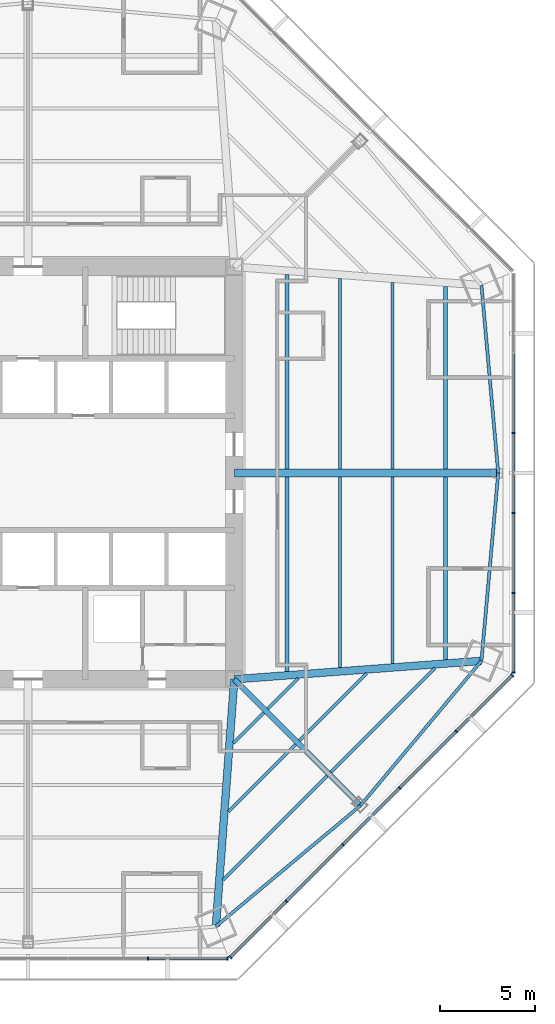
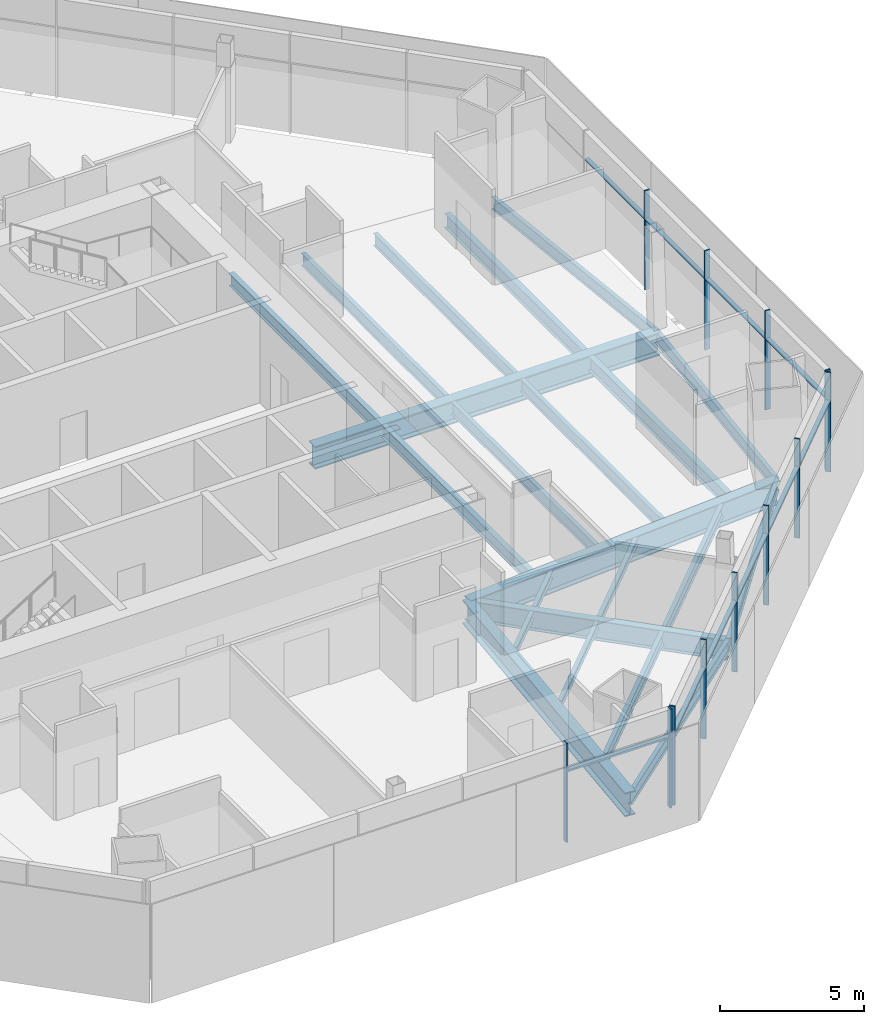
# One storey, part 4 of 17: 22 beams, 22 members, 3 elements without a shape of their own.
"""IFC4 building model written with IfcOpenShell, lengths in metres."""

from ifc_helpers import new_model, si_unit, direction, frame, origin, origin_2d, place, context, subcontext, project, spatial, rectangle, i_section, extrude, source, transform, mapped, material, material_profile, profile_set, type_object, type_shapes, element, aggregate, save


model = new_model("IFC4")

# Units and contexts
model_context = context("Model", 3, precision=1e-05, world=origin(), true_north=direction((0.0, 1.0)))
body_context = subcontext(model_context, "Body", "Model", "MODEL_VIEW")
ifc_project = project(units=[si_unit("LENGTHUNIT", "METRE"), si_unit("AREAUNIT", "SQUARE_METRE"), si_unit("VOLUMEUNIT", "CUBIC_METRE"), si_unit("PLANEANGLEUNIT", "RADIAN"), si_unit("MASSUNIT", "GRAM", prefix="KILO")], contexts=[model_context])

# Site, building, storey
site_placement = place(None, origin())
site = spatial("IfcSite", under=ifc_project, at=site_placement, CompositionType="ELEMENT")
building_placement = place(site_placement, origin())
building = spatial("IfcBuilding", under=site, at=building_placement, Name="Mashrafa Tower", CompositionType="ELEMENT")
storey_placement = place(building_placement, frame((0.0, 0.0, 91.800048828125)))
storey = spatial("IfcBuildingStorey", under=building, at=storey_placement, Name="L20", CompositionType="ELEMENT", Elevation=91.800048828125)

# Beams
ifc_material_1 = material(Name="Steel ASTM A992", Category="steel")
ifc_material_profile_1 = material_profile(ifc_material_1, i_section(OverallWidth=0.164794921875, OverallDepth=0.309814453125, WebThickness=0.005859375, FlangeThickness=0.009765625, FilletRadius=0.007568359375, at=origin_2d()), Name="W12X26")
ifc_profile_set_1 = profile_set([ifc_material_profile_1], Name="Steel ASTM A992")
beam_type_1 = type_object("IfcBeamType", Name="Beam W12X26", PredefinedType="BEAM", material=ifc_profile_set_1)
beam_1_placement = place(storey_placement, frame((12.349365234375, -12.555908203125, -0.320068359375), z_axis=(-0.707052772649, -0.707160785599, 0.0), x_axis=(0.707160785599, -0.707052772649, 0.0)))
element("IfcBeam", 1, at=beam_1_placement, inside=storey, type_object=beam_type_1, Name="Floor beam L20 040", PredefinedType="BEAM", context=body_context, shape_type="SweptSolid", body=[
    extrude(i_section(OverallWidth=0.164794921875, OverallDepth=0.309814453125, WebThickness=0.005859375, FlangeThickness=0.009765625, FilletRadius=0.007568359375, at=origin_2d()), origin(), (0.0, 0.0, 1.0), 2.26025390625),
])
beam_2_placement = place(storey_placement, frame((14.002197265625, -14.208740234375, -0.320068359375), z_axis=(-0.707131323705, -0.707082237816, 0.0), x_axis=(0.707082237816, -0.707131323705, 0.0)))
element("IfcBeam", 2, at=beam_2_placement, inside=storey, type_object=beam_type_1, Name="Floor beam L20 044", PredefinedType="BEAM", context=body_context, shape_type="SweptSolid", body=[
    extrude(i_section(OverallWidth=0.164794921875, OverallDepth=0.309814453125, WebThickness=0.005859375, FlangeThickness=0.009765625, FilletRadius=0.007568359375, at=origin_2d()), origin(), (0.0, 0.0, 1.0), 4.9736328125),
])
beam_3_placement = place(storey_placement, frame((14.154296875, -10.751220703125, -0.320068359375), z_axis=(-0.707160785599, -0.707052772649, 0.0), x_axis=(0.707052772649, -0.707160785599, 0.0)))
element("IfcBeam", 3, at=beam_3_placement, inside=storey, type_object=beam_type_1, Name="Floor beam L20 046", PredefinedType="BEAM", context=body_context, shape_type="SweptSolid", body=[
    extrude(i_section(OverallWidth=0.164794921875, OverallDepth=0.309814453125, WebThickness=0.005859375, FlangeThickness=0.009765625, FilletRadius=0.007568359375, at=origin_2d()), origin(), (0.0, 0.0, 1.0), 2.26025390625),
])
beam_4_placement = place(storey_placement, frame((17.7255859375, -10.485107421875, -0.320068359375), z_axis=(-0.707082237816, -0.707131323705, 0.0), x_axis=(0.707131323705, -0.707082237816, 0.0)))
element("IfcBeam", 4, at=beam_4_placement, inside=storey, type_object=beam_type_1, Name="Floor beam L20 051", PredefinedType="BEAM", context=body_context, shape_type="SweptSolid", body=[
    extrude(i_section(OverallWidth=0.164794921875, OverallDepth=0.309814453125, WebThickness=0.005859375, FlangeThickness=0.009765625, FilletRadius=0.007568359375, at=origin_2d()), origin(), (0.0, 0.0, 1.0), 4.9736328125),
])
ifc_material_2 = material(Name="Steel ASTM A992", Category="steel")
ifc_material_profile_2 = material_profile(ifc_material_2, i_section(OverallWidth=0.165771484375, OverallDepth=0.5283203125, WebThickness=0.009765625, FlangeThickness=0.013671875, FilletRadius=0.012939453125, at=origin_2d()), Name="W21X50")
ifc_profile_set_2 = profile_set([ifc_material_profile_2], Name="Steel ASTM A992")
beam_type_2 = type_object("IfcBeamType", Name="Beam W21X50", PredefinedType="BEAM", material=ifc_profile_set_2)
beam_5_placement = place(storey_placement, frame((15.65478515625, -15.861328125, -0.42919921875), z_axis=(-0.707106781187, -0.707106781187, 0.0), x_axis=(0.707106781187, -0.707106781187, 0.0)))
element("IfcBeam", 5, at=beam_5_placement, inside=storey, type_object=beam_type_2, Name="Floor beam L20 047", PredefinedType="BEAM", context=body_context, shape_type="SweptSolid", body=[
    extrude(i_section(OverallWidth=0.165771484375, OverallDepth=0.5283203125, WebThickness=0.009765625, FlangeThickness=0.013671875, FilletRadius=0.012939453125, at=origin_2d()), origin(), (0.0, 0.0, 1.0), 7.687744140625),
])
for number, where, z_axis, x_axis, name in (
    (6, (16.3291015625, -0.212158203125, -0.42919921875), (0.0, -1.0, 0.0), (1.0, 0.0, 0.0), "Floor beam L20 049"),
    (7, (16.3291015625, 10.186767578125, -0.42919921875), (0.0, -1.0, 0.0), (1.0, 0.0, 0.0), "Floor beam L20 050"),
):
    element("IfcBeam", number, at=place(storey_placement, frame(where, z_axis=z_axis, x_axis=x_axis)), inside=storey, type_object=beam_type_2, Name=name, PredefinedType="BEAM", context=body_context, shape_type="SweptSolid", body=[
        extrude(i_section(OverallWidth=0.165771484375, OverallDepth=0.5283203125, WebThickness=0.009765625, FlangeThickness=0.013671875, FilletRadius=0.012939453125, at=origin_2d()), origin(), (0.0, 0.0, 1.0), 9.974609375),
    ])
for number, where, z_axis, x_axis, name in (
    (8, (19.093505859375, -0.212158203125, -0.42919921875), (0.0, -1.0, 0.0), (1.0, 0.0, 0.0), "Floor beam L20 052"),
    (9, (19.093505859375, 9.980712890625, -0.42919921875), (0.0, -1.0, 0.0), (1.0, 0.0, 0.0), "Floor beam L20 053"),
):
    element("IfcBeam", number, at=place(storey_placement, frame(where, z_axis=z_axis, x_axis=x_axis)), inside=storey, type_object=beam_type_2, Name=name, PredefinedType="BEAM", context=body_context, shape_type="SweptSolid", body=[
        extrude(i_section(OverallWidth=0.165771484375, OverallDepth=0.5283203125, WebThickness=0.009765625, FlangeThickness=0.013671875, FilletRadius=0.012939453125, at=origin_2d()), origin(), (0.0, 0.0, 1.0), 9.7685546875),
    ])
beam_6_placement = place(storey_placement, frame((21.29736328125, -10.21875, -0.42919921875), z_axis=(-0.707106781187, -0.707106781187, 0.0), x_axis=(0.707106781187, -0.707106781187, 0.0)))
element("IfcBeam", 10, at=beam_6_placement, inside=storey, type_object=beam_type_2, Name="Floor beam L20 054", PredefinedType="BEAM", context=body_context, shape_type="SweptSolid", body=[
    extrude(i_section(OverallWidth=0.165771484375, OverallDepth=0.5283203125, WebThickness=0.009765625, FlangeThickness=0.013671875, FilletRadius=0.012939453125, at=origin_2d()), origin(), (0.0, 0.0, 1.0), 7.687744140625),
])
for number, where, z_axis, x_axis, name in (
    (11, (9.835205078125, -23.744384765625, -0.42919921875), (0.767180616047, 0.641431136102, 0.0), (-0.641431136102, 0.767180616047, 0.0), "Spandrel beam L20 082"),
    (12, (17.41064453125, -17.41064453125, -0.42919921875), (0.641431136102, 0.767180616047, 0.0), (-0.767180616047, 0.641431136102, 0.0), "Spandrel beam L20 084"),
    (13, (23.744384765625, -9.835205078125, -0.42919921875), (0.088935004127, 0.996037431546, 0.0), (-0.996037431546, 0.088935004127, 0.0), "Spandrel beam L20 086"),
    (14, (24.62255859375, 0.0, -0.42919921875), (-0.088935004127, 0.996037431546, 0.0), (-0.996037431546, -0.088935004127, 0.0), "Spandrel beam L20 088"),
):
    element("IfcBeam", number, at=place(storey_placement, frame(where, z_axis=z_axis, x_axis=x_axis)), inside=storey, type_object=beam_type_2, Name=name, PredefinedType="BEAM", context=body_context, shape_type="SweptSolid", body=[
        extrude(i_section(OverallWidth=0.165771484375, OverallDepth=0.5283203125, WebThickness=0.009765625, FlangeThickness=0.013671875, FilletRadius=0.012939453125, at=origin_2d()), origin(), (0.0, 0.0, 1.0), 9.874267578125),
    ])
ifc_material_3 = material(Name="Steel ASTM A992", Category="steel")
ifc_material_profile_3 = material_profile(ifc_material_3, i_section(OverallWidth=0.209228515625, OverallDepth=0.533447265625, WebThickness=0.01025390625, FlangeThickness=0.015625, FilletRadius=0.012939453125, at=origin_2d()), Name="W21X62")
ifc_profile_set_3 = profile_set([ifc_material_profile_3], Name="Steel ASTM A992")
beam_type_3 = type_object("IfcBeamType", Name="Beam W21X62", PredefinedType="BEAM", material=ifc_profile_set_3)
for number, where, z_axis, x_axis, name in (
    (15, (13.564453125, -0.212158203125, -0.431640625), (0.0, -1.0, 0.0), (1.0, 0.0, 0.0), "Floor beam L20 042"),
    (16, (13.564453125, 10.392578125, -0.431640625), (0.0, -1.0, 0.0), (1.0, 0.0, 0.0), "Floor beam L20 043"),
):
    element("IfcBeam", number, at=place(storey_placement, frame(where, z_axis=z_axis, x_axis=x_axis)), inside=storey, type_object=beam_type_3, Name=name, PredefinedType="BEAM", context=body_context, shape_type="SweptSolid", body=[
        extrude(i_section(OverallWidth=0.209228515625, OverallDepth=0.533447265625, WebThickness=0.01025390625, FlangeThickness=0.015625, FilletRadius=0.012939453125, at=origin_2d()), origin(), (0.0, 0.0, 1.0), 10.180419921875),
    ])
ifc_material_4 = material(Name="Steel ASTM A992", Category="steel")
ifc_material_profile_4 = material_profile(ifc_material_4, i_section(OverallWidth=0.227783203125, OverallDepth=0.60205078125, WebThickness=0.010498046875, FlangeThickness=0.014892578125, FilletRadius=0.012939453125, at=origin_2d()), Name="W24X68")
ifc_profile_set_4 = profile_set([ifc_material_profile_4], Name="Steel ASTM A992")
beam_type_4 = type_object("IfcBeamType", Name="Beam W24X68", PredefinedType="BEAM", material=ifc_profile_set_4)
for number, where, z_axis, x_axis, name in (
    (17, (21.85791015625, -0.212158203125, -0.466064453125), (0.0, -1.0, 0.0), (1.0, 0.0, 0.0), "Floor beam L20 055"),
    (18, (21.85791015625, 9.774658203125, -0.466064453125), (0.0, -1.0, 0.0), (1.0, 0.0, 0.0), "Floor beam L20 056"),
):
    element("IfcBeam", number, at=place(storey_placement, frame(where, z_axis=z_axis, x_axis=x_axis)), inside=storey, type_object=beam_type_4, Name=name, PredefinedType="BEAM", context=body_context, shape_type="SweptSolid", body=[
        extrude(i_section(OverallWidth=0.227783203125, OverallDepth=0.60205078125, WebThickness=0.010498046875, FlangeThickness=0.014892578125, FilletRadius=0.012939453125, at=origin_2d()), origin(), (0.0, 0.0, 1.0), 9.5625),
    ])
ifc_material_5 = material(Name="Steel ASTM A992", Category="steel")
ifc_material_profile_5 = material_profile(ifc_material_5, i_section(OverallWidth=0.2919921875, OverallDepth=0.845703125, WebThickness=0.015380859375, FlangeThickness=0.0244140625, FilletRadius=0.017333984375, at=origin_2d()), Name="W33X141")
ifc_profile_set_5 = profile_set([ifc_material_profile_5], Name="Steel ASTM A992")
beam_type_5 = type_object("IfcBeamType", Name="Beam W33X141", PredefinedType="BEAM", material=ifc_profile_set_5)
beam_7_placement = place(storey_placement, frame((10.800048828125, -10.800048828125, -0.587890625), z_axis=(0.707106781187, -0.707106781187, 0.0), x_axis=(0.707106781187, 0.707106781187, 0.0)))
element("IfcBeam", 19, at=beam_7_placement, inside=storey, type_object=beam_type_5, Name="Radial girder L20 067", PredefinedType="BEAM", context=body_context, shape_type="SweptSolid", body=[
    extrude(i_section(OverallWidth=0.2919921875, OverallDepth=0.845703125, WebThickness=0.015380859375, FlangeThickness=0.0244140625, FilletRadius=0.017333984375, at=origin_2d()), origin(), (0.0, 0.0, 1.0), 9.348876953125),
])
ifc_material_6 = material(Name="Steel ASTM A992", Category="steel")
ifc_material_profile_6 = material_profile(ifc_material_6, i_section(OverallWidth=0.424072265625, OverallDepth=0.960205078125, WebThickness=0.028564453125, FlangeThickness=0.051025390625, FilletRadius=0.02001953125, at=origin_2d()), Name="W36X361")
ifc_profile_set_6 = profile_set([ifc_material_profile_6], Name="Steel ASTM A992")
beam_type_6 = type_object("IfcBeamType", Name="Beam W36X361", PredefinedType="BEAM", material=ifc_profile_set_6)
beam_8_placement = place(storey_placement, frame((10.800048828125, 0.0, -0.64501953125), z_axis=(1.0, 0.0, 0.0), x_axis=(0.0, 1.0, 0.0)))
element("IfcBeam", 20, at=beam_8_placement, inside=storey, type_object=beam_type_6, Name="Radial girder L20 069", PredefinedType="BEAM", context=body_context, shape_type="SweptSolid", body=[
    extrude(i_section(OverallWidth=0.424072265625, OverallDepth=0.960205078125, WebThickness=0.028564453125, FlangeThickness=0.051025390625, FilletRadius=0.02001953125, at=origin_2d()), origin(), (0.0, 0.0, 1.0), 13.822509765625),
])
ifc_material_7 = material(Name="Steel ASTM A992", Category="steel")
ifc_material_profile_7 = material_profile(ifc_material_7, i_section(OverallWidth=0.4013671875, OverallDepth=1.010986328125, WebThickness=0.023681640625, FlangeThickness=0.0419921875, FilletRadius=0.02001953125, at=origin_2d()), Name="W40X297")
ifc_profile_set_7 = profile_set([ifc_material_profile_7], Name="Steel ASTM A992")
beam_type_7 = type_object("IfcBeamType", Name="Beam W40X297", PredefinedType="BEAM", material=ifc_profile_set_7)
for number, where, z_axis, x_axis, name in (
    (21, (10.800048828125, -10.800048828125, -0.67041015625), (-0.074331706471, -0.997233572145, 0.0), (0.997233572145, -0.074331706471, 0.0), "Radial girder L20 066"),
    (22, (10.800048828125, -10.800048828125, -0.67041015625), (0.997233572145, 0.074331706471, 0.0), (-0.074331706471, 0.997233572145, 0.0), "Radial girder L20 068"),
):
    element("IfcBeam", number, at=place(storey_placement, frame(where, z_axis=z_axis, x_axis=x_axis)), inside=storey, type_object=beam_type_7, Name=name, PredefinedType="BEAM", context=body_context, shape_type="SweptSolid", body=[
        extrude(i_section(OverallWidth=0.4013671875, OverallDepth=1.010986328125, WebThickness=0.023681640625, FlangeThickness=0.0419921875, FilletRadius=0.02001953125, at=origin_2d()), origin(), (0.0, 0.0, 1.0), 12.980224609375),
    ])

# Curtain wall, members
ifc_material_8 = material(Name="Unitised aluminium curtain wall", Category="aluminium")
curtain_wall_type = type_object("IfcCurtainWallType", Name="Office curtain wall, zone 1 CW-A 200 deep", PredefinedType="NOTDEFINED", material=ifc_material_8)
curtain_wall_1_placement = place(storey_placement, origin())
curtain_wall_1 = element("IfcCurtainWall", 23, at=curtain_wall_1_placement, inside=storey, type_object=curtain_wall_type, Name="Office curtain wall, zone 1 L20 east", PredefinedType="NOTDEFINED")
ifc_material_9 = material(Name="Extruded aluminium mullion", Category="aluminium")
ifc_material_profile_8 = material_profile(ifc_material_9, rectangle(XDim=0.199951171875, YDim=0.06494140625, at=origin_2d()), Name="Mullion 65x200")
ifc_profile_set_8 = profile_set([ifc_material_profile_8], Name="Extruded aluminium mullion")
member_type_1 = type_object("IfcMemberType", Name="Mullion CW-A 65 x 200", PredefinedType="MULLION", material=ifc_profile_set_8)
shared_shape_1 = source(origin(), body_context, "Body", "SweptSolid", [
    extrude(rectangle(XDim=0.199951171875, YDim=0.06494140625, at=origin_2d()), origin(), (0.0, 0.0, 1.0), 4.199951171875),
])
type_shapes(member_type_1, [shared_shape_1])
member_1_placement = place(storey_placement, frame((25.417724609375, -10.444580078125, 0.0), z_axis=(0.0, 0.0, 1.0), x_axis=(-1.0, 0.0, 0.0)))
member_1 = element("IfcMember", 24, at=member_1_placement, type_object=member_type_1, Name="CW-A mullion 1", PredefinedType="MULLION", context=body_context, shape_type="MappedRepresentation", body=[
    mapped(shared_shape_1, transform((0.0, 0.0, 0.0))),
])
member_2_placement = place(storey_placement, frame((25.417724609375, -6.2861328125, 0.0), z_axis=(0.0, 0.0, 1.0), x_axis=(-1.0, 0.0, 0.0)))
member_2 = element("IfcMember", 25, at=member_2_placement, type_object=member_type_1, Name="CW-A mullion 2", PredefinedType="MULLION", context=body_context, shape_type="MappedRepresentation", body=[
    mapped(shared_shape_1, transform((0.0, 0.0, 0.0))),
])
member_3_placement = place(storey_placement, frame((25.417724609375, -2.095458984375, 0.0), z_axis=(0.0, 0.0, 1.0), x_axis=(-1.0, 0.0, 0.0)))
member_3 = element("IfcMember", 26, at=member_3_placement, type_object=member_type_1, Name="CW-A mullion 3", PredefinedType="MULLION", context=body_context, shape_type="MappedRepresentation", body=[
    mapped(shared_shape_1, transform((0.0, 0.0, 0.0))),
])
member_4_placement = place(storey_placement, frame((25.417724609375, 2.095458984375, 0.0), z_axis=(0.0, 0.0, 1.0), x_axis=(-1.0, 0.0, 0.0)))
member_4 = element("IfcMember", 27, at=member_4_placement, type_object=member_type_1, Name="CW-A mullion 4", PredefinedType="MULLION", context=body_context, shape_type="MappedRepresentation", body=[
    mapped(shared_shape_1, transform((0.0, 0.0, 0.0))),
])

curtain_wall_2_placement = place(storey_placement, origin())
curtain_wall_2 = element("IfcCurtainWall", 28, at=curtain_wall_2_placement, inside=storey, type_object=curtain_wall_type, Name="Office curtain wall, zone 1 L20 south", PredefinedType="NOTDEFINED")
member_5_placement = place(storey_placement, frame((6.2861328125, -25.417724609375, 0.0), z_axis=(0.0, 0.0, 1.0), x_axis=(0.0, 1.0, 0.0)))
member_5 = element("IfcMember", 29, at=member_5_placement, type_object=member_type_1, Name="CW-A mullion 5", PredefinedType="MULLION", context=body_context, shape_type="MappedRepresentation", body=[
    mapped(shared_shape_1, transform((0.0, 0.0, 0.0))),
])
member_6_placement = place(storey_placement, frame((10.444580078125, -25.417724609375, 0.0), z_axis=(0.0, 0.0, 1.0), x_axis=(0.0, 1.0, 0.0)))
member_6 = element("IfcMember", 30, at=member_6_placement, type_object=member_type_1, Name="CW-A mullion 6", PredefinedType="MULLION", context=body_context, shape_type="MappedRepresentation", body=[
    mapped(shared_shape_1, transform((0.0, 0.0, 0.0))),
])

curtain_wall_3_placement = place(storey_placement, origin())
curtain_wall_3 = element("IfcCurtainWall", 31, at=curtain_wall_3_placement, inside=storey, type_object=curtain_wall_type, Name="Office curtain wall, zone 1 L20 south-east", PredefinedType="NOTDEFINED")
member_7_placement = place(storey_placement, frame((10.587646484375, -25.3583984375, 0.0), z_axis=(0.0, 0.0, 1.0), x_axis=(-0.707106781187, 0.707106781187, 0.0)))
member_7 = element("IfcMember", 32, at=member_7_placement, type_object=member_type_1, Name="CW-A mullion 1", PredefinedType="MULLION", context=body_context, shape_type="MappedRepresentation", body=[
    mapped(shared_shape_1, transform((0.0, 0.0, 0.0))),
])
member_8_placement = place(storey_placement, frame((13.528076171875, -22.418212890625, 0.0), z_axis=(0.0, 0.0, 1.0), x_axis=(-0.707106781187, 0.707106781187, 0.0)))
member_8 = element("IfcMember", 33, at=member_8_placement, type_object=member_type_1, Name="CW-A mullion 2", PredefinedType="MULLION", context=body_context, shape_type="MappedRepresentation", body=[
    mapped(shared_shape_1, transform((0.0, 0.0, 0.0))),
])
member_9_placement = place(storey_placement, frame((16.491455078125, -19.454833984375, 0.0), z_axis=(0.0, 0.0, 1.0), x_axis=(-0.707106781187, 0.707106781187, 0.0)))
member_9 = element("IfcMember", 34, at=member_9_placement, type_object=member_type_1, Name="CW-A mullion 3", PredefinedType="MULLION", context=body_context, shape_type="MappedRepresentation", body=[
    mapped(shared_shape_1, transform((0.0, 0.0, 0.0))),
])
member_10_placement = place(storey_placement, frame((19.454833984375, -16.491455078125, 0.0), z_axis=(0.0, 0.0, 1.0), x_axis=(-0.707106781187, 0.707106781187, 0.0)))
member_10 = element("IfcMember", 35, at=member_10_placement, type_object=member_type_1, Name="CW-A mullion 4", PredefinedType="MULLION", context=body_context, shape_type="MappedRepresentation", body=[
    mapped(shared_shape_1, transform((0.0, 0.0, 0.0))),
])
member_11_placement = place(storey_placement, frame((22.418212890625, -13.528076171875, 0.0), z_axis=(0.0, 0.0, 1.0), x_axis=(-0.707106781187, 0.707106781187, 0.0)))
member_11 = element("IfcMember", 36, at=member_11_placement, type_object=member_type_1, Name="CW-A mullion 5", PredefinedType="MULLION", context=body_context, shape_type="MappedRepresentation", body=[
    mapped(shared_shape_1, transform((0.0, 0.0, 0.0))),
])
member_12_placement = place(storey_placement, frame((25.3583984375, -10.587646484375, 0.0), z_axis=(0.0, 0.0, 1.0), x_axis=(-0.707106781187, 0.707106781187, 0.0)))
member_12 = element("IfcMember", 37, at=member_12_placement, type_object=member_type_1, Name="CW-A mullion 6", PredefinedType="MULLION", context=body_context, shape_type="MappedRepresentation", body=[
    mapped(shared_shape_1, transform((0.0, 0.0, 0.0))),
])

# Member
ifc_material_10 = material(Name="Extruded aluminium transom", Category="aluminium")
ifc_material_profile_9 = material_profile(ifc_material_10, rectangle(XDim=0.159912109375, YDim=0.080078125, at=origin_2d()), Name="Transom 80x160")
ifc_profile_set_9 = profile_set([ifc_material_profile_9], Name="Extruded aluminium transom")
member_type_2 = type_object("IfcMemberType", Name="Transom CW-A 80 x 160", PredefinedType="MULLION", material=ifc_profile_set_9)
shared_shape_2 = source(origin(), body_context, "Body", "SweptSolid", [
    extrude(rectangle(XDim=0.159912109375, YDim=0.080078125, at=origin_2d()), origin(), (0.0, 0.0, 1.0), 4.09326171875),
])
member_13_placement = place(storey_placement, frame((25.417724609375, -10.411865234375, 3.0), z_axis=(0.0, 1.0, 0.0), x_axis=(-1.0, 0.0, 0.0)))
member_13 = element("IfcMember", 38, at=member_13_placement, type_object=member_type_2, Name="CW-A transom 1", PredefinedType="MULLION", context=body_context, shape_type="MappedRepresentation", body=[
    mapped(shared_shape_2, transform((0.0, 0.0, 0.0))),
])

member_14_placement = place(storey_placement, frame((6.318603515625, -25.417724609375, 3.0), z_axis=(1.0, 0.0, 0.0), x_axis=(0.0, 1.0, 0.0)))
member_14 = element("IfcMember", 39, at=member_14_placement, type_object=member_type_2, Name="CW-A transom 5", PredefinedType="MULLION", context=body_context, shape_type="MappedRepresentation", body=[
    mapped(shared_shape_2, transform((0.0, 0.0, 0.0))),
])

aggregate(curtain_wall_2, [member_5, member_6, member_14])

member_15_placement = place(storey_placement, frame((10.61083984375, -25.33544921875, 3.0), z_axis=(0.707106781187, 0.707106781187, 0.0), x_axis=(-0.707106781187, 0.707106781187, 0.0)))
member_15 = element("IfcMember", 40, at=member_15_placement, type_object=member_type_2, Name="CW-A transom 1", PredefinedType="MULLION", context=body_context, shape_type="MappedRepresentation", body=[
    mapped(shared_shape_2, transform((0.0, 0.0, 0.0))),
])

member_16_placement = place(storey_placement, frame((22.441162109375, -13.505126953125, 3.0), z_axis=(0.707106781187, 0.707106781187, 0.0), x_axis=(-0.707106781187, 0.707106781187, 0.0)))
member_16 = element("IfcMember", 41, at=member_16_placement, type_object=member_type_2, Name="CW-A transom 5", PredefinedType="MULLION", context=body_context, shape_type="MappedRepresentation", body=[
    mapped(shared_shape_2, transform((0.0, 0.0, 0.0))),
])

shared_shape_3 = source(origin(), body_context, "Body", "SweptSolid", [
    extrude(rectangle(XDim=0.159912109375, YDim=0.080078125, at=origin_2d()), origin(), (0.0, 0.0, 1.0), 4.125732421875),
])
member_17_placement = place(storey_placement, frame((25.417724609375, -6.253662109375, 3.0), z_axis=(0.0, 1.0, 0.0), x_axis=(-1.0, 0.0, 0.0)))
member_17 = element("IfcMember", 42, at=member_17_placement, type_object=member_type_2, Name="CW-A transom 2", PredefinedType="MULLION", context=body_context, shape_type="MappedRepresentation", body=[
    mapped(shared_shape_3, transform((0.0, 0.0, 0.0))),
])

member_18_placement = place(storey_placement, frame((25.417724609375, 2.1279296875, 3.0), z_axis=(0.0, 1.0, 0.0), x_axis=(-1.0, 0.0, 0.0)))
member_18 = element("IfcMember", 43, at=member_18_placement, type_object=member_type_2, Name="CW-A transom 4", PredefinedType="MULLION", context=body_context, shape_type="MappedRepresentation", body=[
    mapped(shared_shape_3, transform((0.0, 0.0, 0.0))),
])

shared_shape_4 = source(origin(), body_context, "Body", "SweptSolid", [
    extrude(rectangle(XDim=0.159912109375, YDim=0.080078125, at=origin_2d()), origin(), (0.0, 0.0, 1.0), 4.1259765625),
])
type_shapes(member_type_2, [shared_shape_2, shared_shape_3, shared_shape_4])
member_19_placement = place(storey_placement, frame((25.417724609375, -2.06298828125, 3.0), z_axis=(0.0, 1.0, 0.0), x_axis=(-1.0, 0.0, 0.0)))
member_19 = element("IfcMember", 44, at=member_19_placement, type_object=member_type_2, Name="CW-A transom 3", PredefinedType="MULLION", context=body_context, shape_type="MappedRepresentation", body=[
    mapped(shared_shape_4, transform((0.0, 0.0, 0.0))),
])

aggregate(curtain_wall_1, [member_1, member_2, member_3, member_4, member_13, member_17, member_19, member_18])

member_20_placement = place(storey_placement, frame((13.551025390625, -22.395263671875, 3.0), z_axis=(0.707106781187, 0.707106781187, 0.0), x_axis=(-0.707106781187, 0.707106781187, 0.0)))
member_20 = element("IfcMember", 45, at=member_20_placement, type_object=member_type_2, Name="CW-A transom 2", PredefinedType="MULLION", context=body_context, shape_type="MappedRepresentation", body=[
    mapped(shared_shape_4, transform((0.0, 0.0, 0.0))),
])

member_21_placement = place(storey_placement, frame((16.514404296875, -19.431884765625, 3.0), z_axis=(0.707106781187, 0.707106781187, 0.0), x_axis=(-0.707106781187, 0.707106781187, 0.0)))
member_21 = element("IfcMember", 46, at=member_21_placement, type_object=member_type_2, Name="CW-A transom 3", PredefinedType="MULLION", context=body_context, shape_type="MappedRepresentation", body=[
    mapped(shared_shape_4, transform((0.0, 0.0, 0.0))),
])

member_22_placement = place(storey_placement, frame((19.477783203125, -16.468505859375, 3.0), z_axis=(0.707106781187, 0.707106781187, 0.0), x_axis=(-0.707106781187, 0.707106781187, 0.0)))
member_22 = element("IfcMember", 47, at=member_22_placement, type_object=member_type_2, Name="CW-A transom 4", PredefinedType="MULLION", context=body_context, shape_type="MappedRepresentation", body=[
    mapped(shared_shape_4, transform((0.0, 0.0, 0.0))),
])

aggregate(curtain_wall_3, [member_7, member_8, member_9, member_10, member_11, member_12, member_15, member_20, member_21, member_22, member_16])

save(model, "model.ifc")
